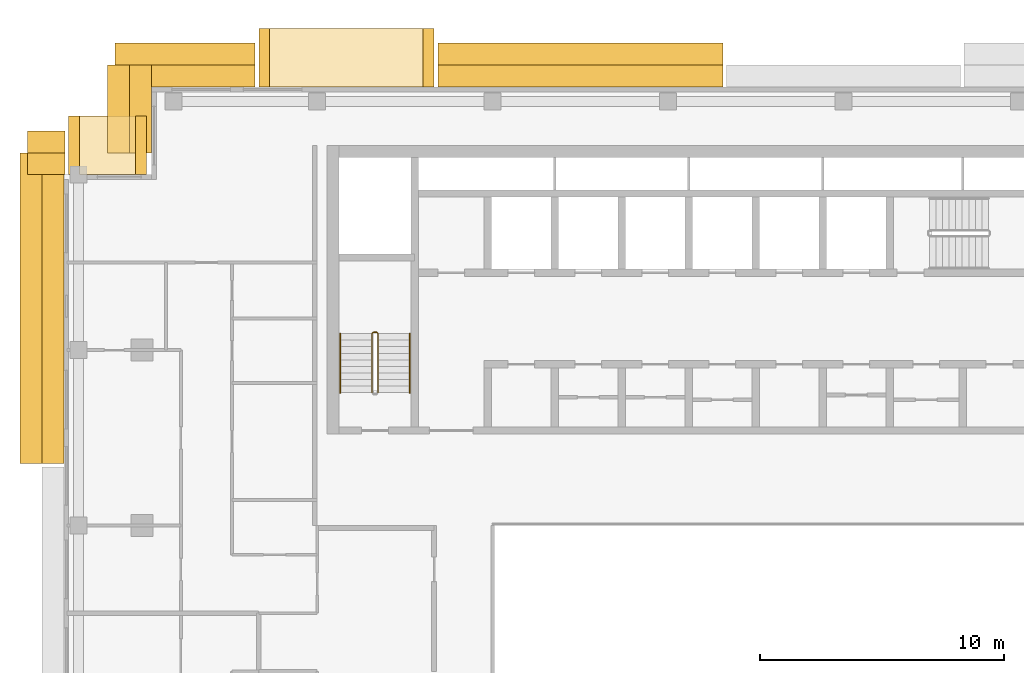
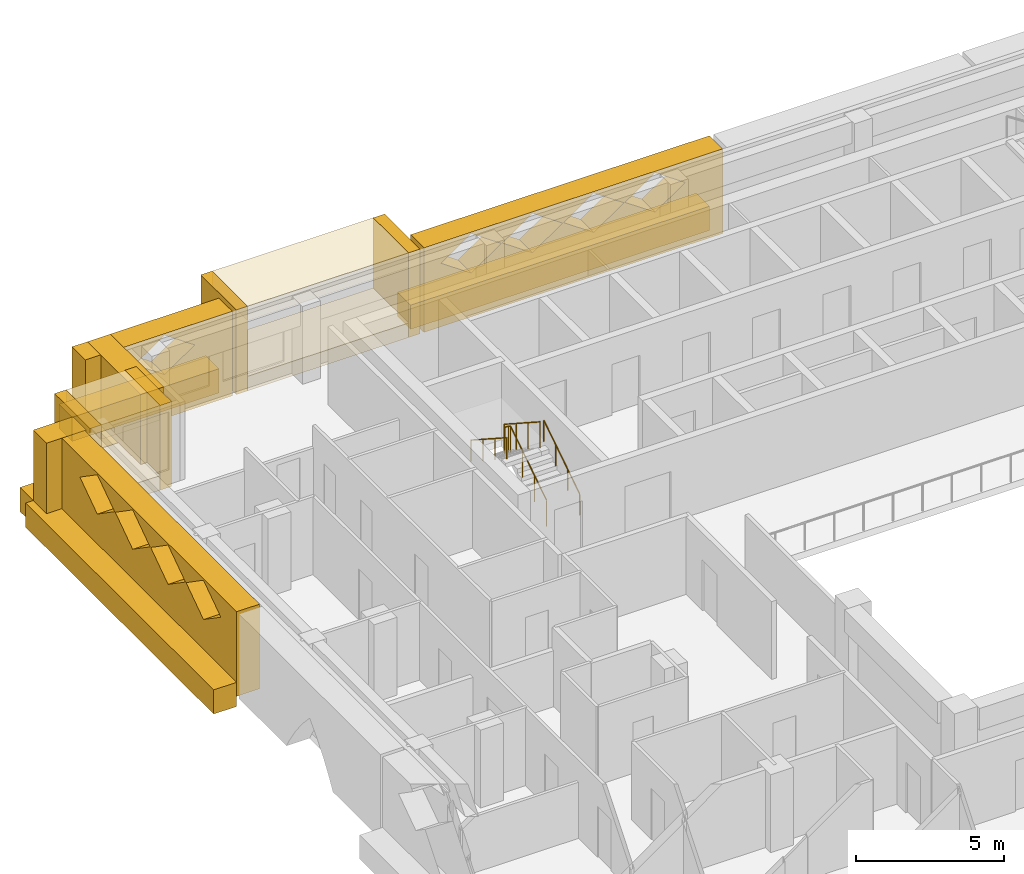
# One storey, part 17 of 19: 18 coverings, 3 railings.
"""IFC4 building model written with IfcOpenShell, lengths in metres."""

from ifc_helpers import new_model, si_unit, direction, frame, origin, origin_2d, place, context, subcontext, project, spatial, polyline, circle, outline, extrude, material, layer, layer_set, type_object, element, save


model = new_model("IFC4")

# Units and contexts
model_context = context("Model", 3, precision=1e-05, world=origin(), true_north=direction((0.0, 1.0)))
body_context = subcontext(model_context, "Body", "Model", "MODEL_VIEW")
ifc_project = project(units=[si_unit("LENGTHUNIT", "METRE"), si_unit("AREAUNIT", "SQUARE_METRE"), si_unit("VOLUMEUNIT", "CUBIC_METRE"), si_unit("PLANEANGLEUNIT", "RADIAN"), si_unit("MASSUNIT", "GRAM", prefix="KILO")], contexts=[model_context])

# Site, building, storey
site_placement = place(None, origin())
site = spatial("IfcSite", under=ifc_project, at=site_placement, CompositionType="ELEMENT")
building_placement = place(site_placement, origin())
building = spatial("IfcBuilding", under=site, at=building_placement, Name="Saffron Iwan Residences", CompositionType="ELEMENT")
storey_placement = place(building_placement, frame((0.0, 0.0, 215.0)))
storey = spatial("IfcBuildingStorey", under=building, at=storey_placement, Name="L57", CompositionType="ELEMENT", Elevation=215.0)

# Coverings
ifc_material_1 = material(Name="Precast concrete C40/50", Category="concrete")
covering_type_1 = type_object("IfcCoveringType", Name="OUTER SKIN LATTICE SCREEN", PredefinedType="CLADDING", material=ifc_material_1)
covering_1_placement = place(storey_placement, frame((45.449951171875, 80.39990234375, -0.280029296875), z_axis=(0.0, 1.0, 0.0), x_axis=(-1.0, 0.0, 0.0)))
element("IfcCovering", 1, at=covering_1_placement, inside=storey, type_object=covering_type_1, Name="OUTER SKIN lattice screen L57 F5.2", PredefinedType="CLADDING", context=body_context, shape_type="SweptSolid", body=[
    extrude(outline(polyline([(0.0, 0.0), (11.699951171875, 0.0), (11.699951171875, 3.5), (0.0, 3.5), (0.0, 0.0)]), holes=[polyline([(1.469970703125, 2.625), (2.64990234375, 1.81005859375), (3.830078125, 2.625), (2.64990234375, 3.43994140625), (1.469970703125, 2.625)]), polyline([(3.8701171875, 2.625), (5.050048828125, 1.81005859375), (6.22998046875, 2.625), (5.050048828125, 3.43994140625), (3.8701171875, 2.625)]), polyline([(6.27001953125, 2.625), (7.449951171875, 1.81005859375), (8.6298828125, 2.625), (7.449951171875, 3.43994140625), (6.27001953125, 2.625)]), polyline([(8.669921875, 2.625), (9.85009765625, 1.81005859375), (11.030029296875, 2.625), (9.85009765625, 3.43994140625), (8.669921875, 2.625)])]), origin(), (0.0, 0.0, 1.0), 0.900146484375),
])
covering_2_placement = place(storey_placement, frame((26.25, 80.39990234375, -0.280029296875), z_axis=(0.0, 1.0, 0.0), x_axis=(-1.0, 0.0, 0.0)))
element("IfcCovering", 2, at=covering_2_placement, inside=storey, type_object=covering_type_1, Name="OUTER SKIN lattice screen L57 F5.3", PredefinedType="CLADDING", context=body_context, shape_type="SweptSolid", body=[
    extrude(outline(polyline([(0.0, 0.0), (5.75, 0.0), (5.75, 3.5), (0.0, 3.5), (0.0, 0.0)]), holes=[polyline([(1.469970703125, 2.625), (2.64990234375, 1.81005859375), (3.830078125, 2.625), (2.64990234375, 3.43994140625), (1.469970703125, 2.625)])]), origin(), (0.0, 0.0, 1.0), 0.900146484375),
])
covering_3_placement = place(storey_placement, frame((22.0, 81.300048828125, -0.280029296875), z_axis=(-1.0, 0.0, 0.0), x_axis=(0.0, -1.0, 0.0)))
element("IfcCovering", 3, at=covering_3_placement, inside=storey, type_object=covering_type_1, Name="OUTER SKIN lattice screen L57 F6.0", PredefinedType="CLADDING", context=body_context, shape_type="SweptSolid", body=[
    extrude(outline(polyline([(0.0, 0.0), (3.60009765625, 0.0), (3.60009765625, 3.5), (0.0, 3.5), (0.0, 0.0)])), origin(), (0.0, 0.0, 1.0), 0.89990234375),
])
covering_4_placement = place(storey_placement, frame((18.449951171875, 76.800048828125, -0.280029296875), z_axis=(0.0, 1.0, 0.0), x_axis=(-1.0, 0.0, 0.0)))
element("IfcCovering", 4, at=covering_4_placement, inside=storey, type_object=covering_type_1, Name="OUTER SKIN lattice screen L57 F7.0", PredefinedType="CLADDING", context=body_context, shape_type="SweptSolid", body=[
    extrude(outline(polyline([(0.0, 0.0), (1.550048828125, 0.0), (1.550048828125, 3.5), (0.0, 3.5), (0.0, 0.0)])), origin(), (0.0, 0.0, 1.0), 0.89990234375),
])
covering_5_placement = place(storey_placement, frame((18.39990234375, 77.699951171875, -0.280029296875), z_axis=(-1.0, 0.0, 0.0), x_axis=(0.0, -1.0, 0.0)))
element("IfcCovering", 5, at=covering_5_placement, inside=storey, type_object=covering_type_1, Name="OUTER SKIN lattice screen L57 F8.0", PredefinedType="CLADDING", context=body_context, shape_type="SweptSolid", body=[
    extrude(outline(polyline([(0.0, 0.0), (12.75, 0.0), (12.75, 3.5), (0.0, 3.5), (0.0, 0.0)]), holes=[polyline([(2.1201171875, 2.625), (3.300048828125, 1.81005859375), (4.47998046875, 2.625), (3.300048828125, 3.43994140625), (2.1201171875, 2.625)]), polyline([(4.52001953125, 2.625), (5.699951171875, 1.81005859375), (6.8798828125, 2.625), (5.699951171875, 3.43994140625), (4.52001953125, 2.625)]), polyline([(6.919921875, 2.625), (8.10009765625, 1.81005859375), (9.280029296875, 2.625), (8.10009765625, 3.43994140625), (6.919921875, 2.625)]), polyline([(9.320068359375, 2.625), (10.5, 1.81005859375), (11.679931640625, 2.625), (10.5, 3.43994140625), (9.320068359375, 2.625)])]), origin(), (0.0, 0.0, 1.0), 0.89990234375),
])

# Railings
ifc_material_2 = material(Name="Steel S355", Category="steel")
railing_type_1 = type_object("IfcRailingType", Name="Stair guard 1100", PredefinedType="GUARDRAIL", material=ifc_material_2)
railing_1_placement = place(storey_placement, frame((31.300048828125, 67.85009765625, 0.175048828125)))
element("IfcRailing", 6, at=railing_1_placement, inside=storey, type_object=railing_type_1, Name="L57 ST-W stair guard 1", PredefinedType="GUARDRAIL", context=body_context, shape_type="SweptSolid", body=[
    extrude(circle(Radius=0.02392578125, at=origin_2d()), frame((0.0, 0.0, 1.076171875), z_axis=(0.0, 0.839153699163, 0.543894354798), x_axis=(-1.0, 0.0, 0.0)), (0.0, 0.0, 1.0), 2.895751953125),
    extrude(circle(Radius=0.02392578125, at=origin_2d()), frame((0.0, 2.429931640625, 2.65087890625), z_axis=(-0.707106781187, 0.707106781187, 0.0), x_axis=(-0.707106781187, -0.707106781187, 0.0)), (0.0, 0.0, 1.0), 0.07080078125),
    extrude(circle(Radius=0.02392578125, at=origin_2d()), frame((-0.050048828125, 2.47998046875, 2.65087890625), z_axis=(-1.0, 0.0, 0.0), x_axis=(0.0, -1.0, 0.0)), (0.0, 0.0, 1.0), 0.14990234375),
    extrude(circle(Radius=0.02392578125, at=origin_2d()), frame((-0.199951171875, 2.47998046875, 2.65087890625), z_axis=(-0.265065253269, -0.265065253269, 0.927081885822), x_axis=(0.707106781187, -0.707106781187, 0.0)), (0.0, 0.0, 1.0), 0.188720703125),
    extrude(circle(Radius=0.02392578125, at=origin_2d()), frame((-0.25, 2.429931640625, 2.826171875), z_axis=(0.0, -0.839153699163, 0.543894354798), x_axis=(1.0, 0.0, 0.0)), (0.0, 0.0, 1.0), 2.895751953125),
    extrude(circle(Radius=0.02099609375, at=origin_2d()), origin(), (0.0, 0.0, 1.0), 1.052001953125),
    extrude(circle(Radius=0.02099609375, at=origin_2d()), frame((0.0, 0.81005859375, 0.52490234375)), (0.0, 0.0, 1.0), 1.052001953125),
    extrude(circle(Radius=0.02099609375, at=origin_2d()), frame((0.0, 1.619873046875, 1.050048828125)), (0.0, 0.0, 1.0), 1.052001953125),
    extrude(circle(Radius=0.02099609375, at=origin_2d()), frame((0.0, 2.429931640625, 1.574951171875)), (0.0, 0.0, 1.0), 1.052001953125),
    extrude(circle(Radius=0.02099609375, at=origin_2d()), frame((-0.050048828125, 2.47998046875, 1.574951171875)), (0.0, 0.0, 1.0), 1.052001953125),
    extrude(circle(Radius=0.02099609375, at=origin_2d()), frame((-0.199951171875, 2.47998046875, 1.574951171875)), (0.0, 0.0, 1.0), 1.052001953125),
    extrude(circle(Radius=0.02099609375, at=origin_2d()), frame((-0.25, 2.429931640625, 1.75)), (0.0, 0.0, 1.0), 1.052001953125),
    extrude(circle(Radius=0.02099609375, at=origin_2d()), frame((-0.25, 1.619873046875, 2.27490234375)), (0.0, 0.0, 1.0), 1.052001953125),
    extrude(circle(Radius=0.02099609375, at=origin_2d()), frame((-0.25, 0.81005859375, 2.800048828125)), (0.0, 0.0, 1.0), 1.052001953125),
    extrude(circle(Radius=0.02099609375, at=origin_2d()), frame((-0.25, 0.0, 3.324951171875)), (0.0, 0.0, 1.0), 1.052001953125),
])
ifc_material_3 = material(Name="Stainless steel 316", Category="steel")
railing_type_2 = type_object("IfcRailingType", Name="Stair handrail 900", PredefinedType="HANDRAIL", material=ifc_material_3)
railing_2_placement = place(storey_placement, frame((32.60009765625, 67.85009765625, 0.175048828125)))
element("IfcRailing", 7, at=railing_2_placement, inside=storey, type_object=railing_type_2, Name="L57 ST-W stair handrail 1", PredefinedType="HANDRAIL", context=body_context, shape_type="SweptSolid", body=[
    extrude(circle(Radius=0.02392578125, at=origin_2d()), frame((0.0, 0.0, 0.8759765625), z_axis=(0.0, 0.839153699163, 0.543894354798), x_axis=(-1.0, 0.0, 0.0)), (0.0, 0.0, 1.0), 2.895751953125),
    extrude(circle(Radius=0.02099609375, at=origin_2d()), origin(), (0.0, 0.0, 1.0), 0.851806640625),
    extrude(circle(Radius=0.02099609375, at=origin_2d()), frame((0.0, 0.81005859375, 0.52490234375)), (0.0, 0.0, 1.0), 0.851806640625),
    extrude(circle(Radius=0.02099609375, at=origin_2d()), frame((0.0, 1.619873046875, 1.050048828125)), (0.0, 0.0, 1.0), 0.851806640625),
    extrude(circle(Radius=0.02099609375, at=origin_2d()), frame((0.0, 2.429931640625, 1.574951171875)), (0.0, 0.0, 1.0), 0.851806640625),
])
railing_3_placement = place(storey_placement, frame((29.75, 70.280029296875, 1.925048828125)))
element("IfcRailing", 8, at=railing_3_placement, inside=storey, type_object=railing_type_2, Name="L57 ST-W stair handrail 2", PredefinedType="HANDRAIL", context=body_context, shape_type="SweptSolid", body=[
    extrude(circle(Radius=0.02392578125, at=origin_2d()), frame((0.0, 0.0, 0.8759765625), z_axis=(0.0, -0.839153699163, 0.543894354798), x_axis=(1.0, 0.0, 0.0)), (0.0, 0.0, 1.0), 2.895751953125),
    extrude(circle(Radius=0.02099609375, at=origin_2d()), origin(), (0.0, 0.0, 1.0), 0.851806640625),
    extrude(circle(Radius=0.02099609375, at=origin_2d()), frame((0.0, -0.81005859375, 0.52490234375)), (0.0, 0.0, 1.0), 0.851806640625),
    extrude(circle(Radius=0.02099609375, at=origin_2d()), frame((0.0, -1.619873046875, 1.050048828125)), (0.0, 0.0, 1.0), 0.851806640625),
    extrude(circle(Radius=0.02099609375, at=origin_2d()), frame((0.0, -2.429931640625, 1.574951171875)), (0.0, 0.0, 1.0), 0.851806640625),
])

# Coverings
ifc_material_4 = material(Name="Precast concrete C40/50 white painted", Category="concrete")
ifc_layer = layer(ifc_material_4, 0.89990234375)
ifc_layer_set = layer_set([ifc_layer], Name="Precast concrete C40/50 white painted")
covering_type_2 = type_object("IfcCoveringType", Name="WHITE EDGE BAND 900 x 1000", PredefinedType="CLADDING", material=ifc_layer_set)
covering_6_placement = place(storey_placement, frame((0.0, 0.0, -0.699951171875)))
element("IfcCovering", 9, at=covering_6_placement, inside=storey, type_object=covering_type_2, Name="White edge band L57 F5.2", PredefinedType="CLADDING", context=body_context, shape_type="SweptSolid", body=[
    extrude(outline(polyline([(45.449951171875, 82.199951171875), (33.75, 82.199951171875), (33.75, 81.300048828125), (45.449951171875, 81.300048828125), (45.449951171875, 82.199951171875)])), origin(), (0.0, 0.0, 1.0), 1.0),
])
covering_7_placement = place(storey_placement, frame((0.0, 0.0, -0.699951171875)))
element("IfcCovering", 10, at=covering_7_placement, inside=storey, type_object=covering_type_2, Name="White edge band L57 F5.3", PredefinedType="CLADDING", context=body_context, shape_type="SweptSolid", body=[
    extrude(outline(polyline([(26.25, 82.199951171875), (20.5, 82.199951171875), (20.5, 81.300048828125), (26.25, 81.300048828125), (26.25, 82.199951171875)])), origin(), (0.0, 0.0, 1.0), 1.0),
])
covering_8_placement = place(storey_placement, frame((0.0, 0.0, -0.699951171875)))
element("IfcCovering", 11, at=covering_8_placement, inside=storey, type_object=covering_type_2, Name="White edge band L57 F6.0", PredefinedType="CLADDING", context=body_context, shape_type="SweptSolid", body=[
    extrude(outline(polyline([(20.199951171875, 81.300048828125), (20.199951171875, 77.699951171875), (21.10009765625, 77.699951171875), (21.10009765625, 81.300048828125), (20.199951171875, 81.300048828125)])), origin(), (0.0, 0.0, 1.0), 1.0),
])
covering_9_placement = place(storey_placement, frame((0.0, 0.0, -0.699951171875)))
element("IfcCovering", 12, at=covering_9_placement, inside=storey, type_object=covering_type_2, Name="White edge band L57 F7.0", PredefinedType="CLADDING", context=body_context, shape_type="SweptSolid", body=[
    extrude(outline(polyline([(18.449951171875, 78.60009765625), (16.89990234375, 78.60009765625), (16.89990234375, 77.699951171875), (18.449951171875, 77.699951171875), (18.449951171875, 78.60009765625)])), origin(), (0.0, 0.0, 1.0), 1.0),
])
covering_10_placement = place(storey_placement, frame((0.0, 0.0, -0.699951171875)))
element("IfcCovering", 13, at=covering_10_placement, inside=storey, type_object=covering_type_2, Name="White edge band L57 F8.0", PredefinedType="CLADDING", context=body_context, shape_type="SweptSolid", body=[
    extrude(outline(polyline([(16.60009765625, 77.699951171875), (16.60009765625, 64.949951171875), (17.5, 64.949951171875), (17.5, 77.699951171875), (16.60009765625, 77.699951171875)])), origin(), (0.0, 0.0, 1.0), 1.0),
])
covering_type_3 = type_object("IfcCoveringType", Name="WHITE SUN FRAME PRECAST", PredefinedType="CLADDING", material=ifc_material_4)
for number, where, z_axis, x_axis, name in (
    (14, (33.60009765625, 80.39990234375, -0.280029296875), (0.0, 1.0, 0.0), (-1.0, 0.0, 0.0), "Sun frame L57 F5 45.2a"),
    (15, (26.85009765625, 80.39990234375, -0.280029296875), (0.0, 1.0, 0.0), (-1.0, 0.0, 0.0), "Sun frame L57 F5 45.2b"),
):
    element("IfcCovering", number, at=place(storey_placement, frame(where, z_axis=z_axis, x_axis=x_axis)), inside=storey, type_object=covering_type_3, Name=name, PredefinedType="CLADDING", context=body_context, shape_type="SweptSolid", body=[
        extrude(outline(polyline([(0.0, 0.0), (0.449951171875, 0.0), (0.449951171875, 3.5), (0.0, 3.5), (0.0, 0.0)])), origin(), (0.0, 0.0, 1.0), 2.400146484375),
    ])
for number, where, z_axis, x_axis, name in (
    (16, (33.14990234375, 80.39990234375, 2.6201171875), (0.0, 1.0, 0.0), (-1.0, 0.0, 0.0), "Sun frame L57 F5 45.2h"),
    (17, (33.14990234375, 80.39990234375, -0.280029296875), (0.0, 1.0, 0.0), (-1.0, 0.0, 0.0), "Sun frame L57 F5 45.2s"),
):
    element("IfcCovering", number, at=place(storey_placement, frame(where, z_axis=z_axis, x_axis=x_axis)), inside=storey, type_object=covering_type_3, Name=name, PredefinedType="CLADDING", context=body_context, shape_type="SweptSolid", body=[
        extrude(outline(polyline([(0.0, 0.0), (6.300048828125, 0.0), (6.300048828125, 0.60009765625), (0.0, 0.60009765625), (0.0, 0.0)])), origin(), (0.0, 0.0, 1.0), 2.400146484375),
    ])
for number, where, z_axis, x_axis, name in (
    (18, (21.800048828125, 76.800048828125, -0.280029296875), (0.0, 1.0, 0.0), (-1.0, 0.0, 0.0), "Sun frame L57 F7 0.2a"),
    (19, (19.050048828125, 76.800048828125, -0.280029296875), (0.0, 1.0, 0.0), (-1.0, 0.0, 0.0), "Sun frame L57 F7 0.2b"),
):
    element("IfcCovering", number, at=place(storey_placement, frame(where, z_axis=z_axis, x_axis=x_axis)), inside=storey, type_object=covering_type_3, Name=name, PredefinedType="CLADDING", context=body_context, shape_type="SweptSolid", body=[
        extrude(outline(polyline([(0.0, 0.0), (0.449951171875, 0.0), (0.449951171875, 3.5), (0.0, 3.5), (0.0, 0.0)])), origin(), (0.0, 0.0, 1.0), 2.39990234375),
    ])
for number, where, z_axis, x_axis, name in (
    (20, (21.35009765625, 76.800048828125, 2.6201171875), (0.0, 1.0, 0.0), (-1.0, 0.0, 0.0), "Sun frame L57 F7 0.2h"),
    (21, (21.35009765625, 76.800048828125, -0.280029296875), (0.0, 1.0, 0.0), (-1.0, 0.0, 0.0), "Sun frame L57 F7 0.2s"),
):
    element("IfcCovering", number, at=place(storey_placement, frame(where, z_axis=z_axis, x_axis=x_axis)), inside=storey, type_object=covering_type_3, Name=name, PredefinedType="CLADDING", context=body_context, shape_type="SweptSolid", body=[
        extrude(outline(polyline([(0.0, 0.0), (2.300048828125, 0.0), (2.300048828125, 0.60009765625), (0.0, 0.60009765625), (0.0, 0.0)])), origin(), (0.0, 0.0, 1.0), 2.39990234375),
    ])

save(model, "model.ifc")
